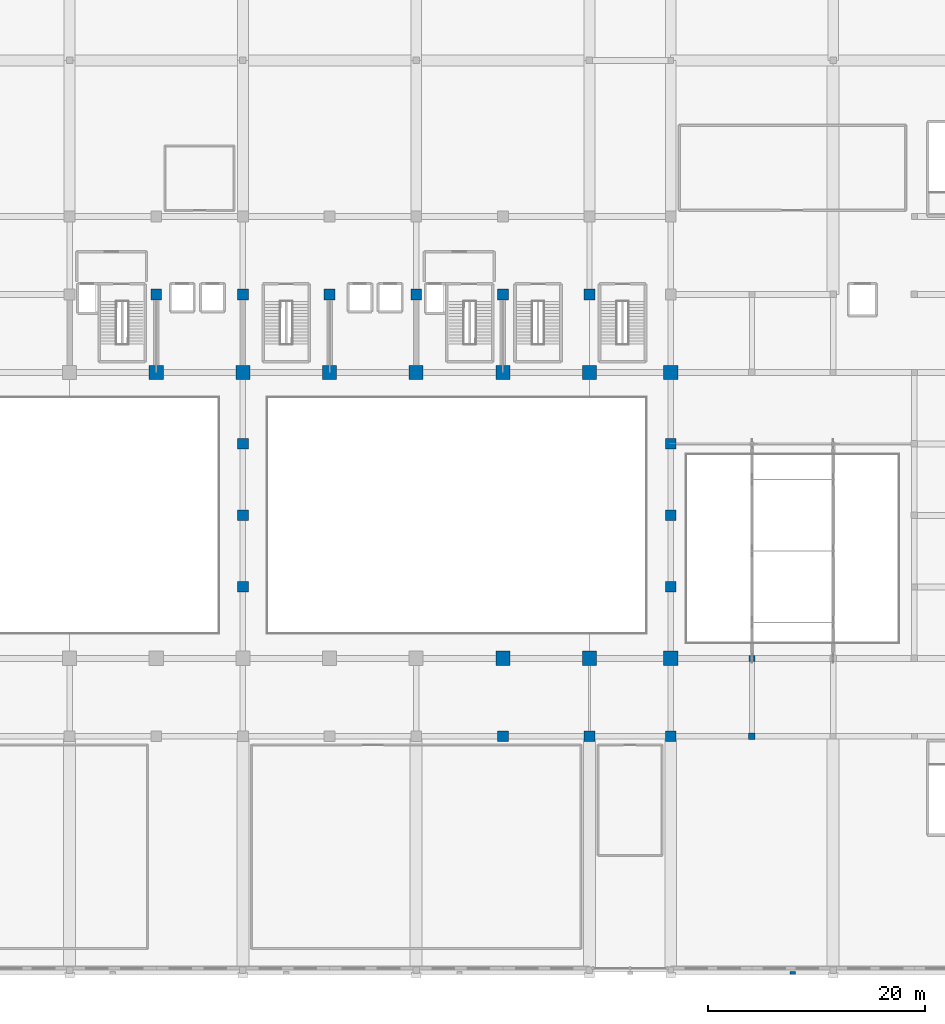
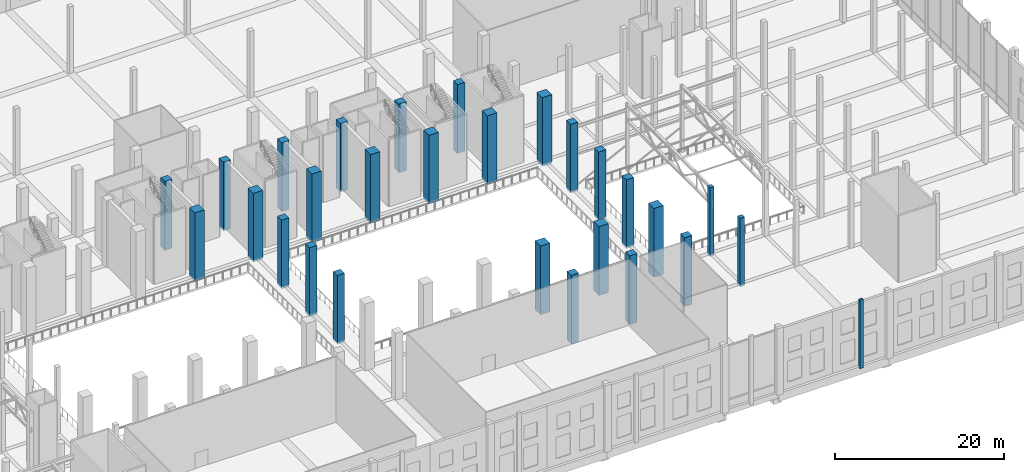
# One storey, part 2 of 80: 28 columns.
"""IFC4 building model written with IfcOpenShell, lengths in metres."""

from ifc_helpers import new_model, si_unit, direction, frame, origin, origin_2d, place, context, subcontext, project, spatial, rectangle, extrude, material, material_profile, profile_set, type_object, element, save


model = new_model("IFC4")

# Units and contexts
model_context = context("Model", 3, precision=1e-05, world=origin(), true_north=direction((0.0, 1.0)))
body_context = subcontext(model_context, "Body", "Model", "MODEL_VIEW")
ifc_project = project(units=[si_unit("LENGTHUNIT", "METRE"), si_unit("AREAUNIT", "SQUARE_METRE"), si_unit("VOLUMEUNIT", "CUBIC_METRE"), si_unit("PLANEANGLEUNIT", "RADIAN"), si_unit("MASSUNIT", "GRAM", prefix="KILO")], contexts=[model_context])

# Site, building, storey
site_placement = place(None, origin())
site = spatial("IfcSite", under=ifc_project, at=site_placement, CompositionType="ELEMENT")
building_placement = place(site_placement, origin())
building = spatial("IfcBuilding", under=site, at=building_placement, Name="Akrevak Sports Hall", CompositionType="ELEMENT")
storey_placement = place(building_placement, frame((0.0, 0.0, 14.0)))
storey = spatial("IfcBuildingStorey", under=building, at=storey_placement, Name="L03", CompositionType="ELEMENT", Elevation=14.0)

# Columns
ifc_material_1 = material(Name="Concrete C50/60", Category="concrete")
ifc_material_profile_1 = material_profile(ifc_material_1, rectangle(XDim=1.0, YDim=1.0, at=origin_2d()), Name="RC 1000x1000", Category="concrete")
ifc_profile_set_1 = profile_set([ifc_material_profile_1], Name="Concrete C50/60")
column_type_1 = type_object("IfcColumnType", Name="STR-COL-RC1000", PredefinedType="COLUMN", material=ifc_profile_set_1)
for number, where, z_axis, x_axis, name in (
    (1, (68.0, 62.39990234375, -0.280029296875), (0.0, 0.0, 1.0), (1.0, 0.0, 0.0), "Column 10/J (L03)"),
    (2, (76.0, 35.39990234375, -0.280029296875), (0.0, 0.0, 1.0), (1.0, 0.0, 0.0), "Column 11/F (L03)"),
    (3, (76.0, 42.0, -0.280029296875), (0.0, 0.0, 1.0), (1.0, 0.0, 0.0), "Column 11/G (L03)"),
    (4, (76.0, 48.60009765625, -0.280029296875), (0.0, 0.0, 1.0), (1.0, 0.0, 0.0), "Column 11/H (L03)"),
    (5, (76.0, 62.39990234375, -0.280029296875), (0.0, 0.0, 1.0), (1.0, 0.0, 0.0), "Column 11/J (L03)"),
    (6, (84.0, 62.39990234375, -0.280029296875), (0.0, 0.0, 1.0), (1.0, 0.0, 0.0), "Column 12/J (L03)"),
    (7, (92.0, 62.39990234375, -0.280029296875), (0.0, 0.0, 1.0), (1.0, 0.0, 0.0), "Column 13/J (L03)"),
    (8, (100.0, 21.60009765625, -0.280029296875), (0.0, 0.0, 1.0), (1.0, 0.0, 0.0), "Column 14/D (L03)"),
    (9, (100.0, 62.39990234375, -0.280029296875), (0.0, 0.0, 1.0), (1.0, 0.0, 0.0), "Column 14/J (L03)"),
    (10, (108.0, 21.60009765625, -0.280029296875), (0.0, 0.0, 1.0), (1.0, 0.0, 0.0), "Column 15/D (L03)"),
    (11, (108.0, 62.39990234375, -0.280029296875), (0.0, 0.0, 1.0), (1.0, 0.0, 0.0), "Column 15/J (L03)"),
    (12, (115.5, 21.60009765625, -0.280029296875), (0.0, 0.0, 1.0), (1.0, 0.0, 0.0), "Column 16/D (L03)"),
    (13, (115.5, 35.39990234375, -0.280029296875), (0.0, 0.0, 1.0), (1.0, 0.0, 0.0), "Column 16/F (L03)"),
    (14, (115.5, 42.0, -0.280029296875), (0.0, 0.0, 1.0), (1.0, 0.0, 0.0), "Column 16/G (L03)"),
    (15, (115.5, 48.60009765625, -0.280029296875), (0.0, 0.0, 1.0), (1.0, 0.0, 0.0), "Column 16/H (L03)"),
):
    element("IfcColumn", number, at=place(storey_placement, frame(where, z_axis=z_axis, x_axis=x_axis)), inside=storey, type_object=column_type_1, Name=name, PredefinedType="COLUMN", context=body_context, shape_type="SweptSolid", body=[
        extrude(rectangle(XDim=1.0, YDim=1.0, at=origin_2d()), origin(), (0.0, 0.0, 1.0), 9.929931640625),
    ])
ifc_material_profile_2 = material_profile(ifc_material_1, rectangle(XDim=1.300048828125, YDim=1.300048828125, at=origin_2d()), Name="RC 1300x1300", Category="concrete")
ifc_profile_set_2 = profile_set([ifc_material_profile_2], Name="Concrete C50/60")
column_type_2 = type_object("IfcColumnType", Name="STR-COL-RC1300", PredefinedType="COLUMN", material=ifc_profile_set_2)
for number, where, z_axis, x_axis, name in (
    (16, (68.0, 55.199951171875, -0.280029296875), (0.0, 0.0, 1.0), (1.0, 0.0, 0.0), "Column 10/I (L03)"),
    (17, (76.0, 55.199951171875, -0.280029296875), (0.0, 0.0, 1.0), (1.0, 0.0, 0.0), "Column 11/I (L03)"),
    (18, (84.0, 55.199951171875, -0.280029296875), (0.0, 0.0, 1.0), (1.0, 0.0, 0.0), "Column 12/I (L03)"),
    (19, (92.0, 55.199951171875, -0.280029296875), (0.0, 0.0, 1.0), (1.0, 0.0, 0.0), "Column 13/I (L03)"),
    (20, (100.0, 28.800048828125, -0.280029296875), (0.0, 0.0, 1.0), (1.0, 0.0, 0.0), "Column 14/E (L03)"),
    (21, (100.0, 55.199951171875, -0.280029296875), (0.0, 0.0, 1.0), (1.0, 0.0, 0.0), "Column 14/I (L03)"),
    (22, (108.0, 28.800048828125, -0.280029296875), (0.0, 0.0, 1.0), (1.0, 0.0, 0.0), "Column 15/E (L03)"),
    (23, (108.0, 55.199951171875, -0.280029296875), (0.0, 0.0, 1.0), (1.0, 0.0, 0.0), "Column 15/I (L03)"),
    (24, (115.5, 28.800048828125, -0.280029296875), (0.0, 0.0, 1.0), (1.0, 0.0, 0.0), "Column 16/E (L03)"),
    (25, (115.5, 55.199951171875, -0.280029296875), (0.0, 0.0, 1.0), (1.0, 0.0, 0.0), "Column 16/I (L03)"),
):
    element("IfcColumn", number, at=place(storey_placement, frame(where, z_axis=z_axis, x_axis=x_axis)), inside=storey, type_object=column_type_2, Name=name, PredefinedType="COLUMN", context=body_context, shape_type="SweptSolid", body=[
        extrude(rectangle(XDim=1.300048828125, YDim=1.300048828125, at=origin_2d()), origin(), (0.0, 0.0, 1.0), 9.929931640625),
    ])
ifc_material_2 = material(Name="Concrete C40/50", Category="concrete")
ifc_material_profile_3 = material_profile(ifc_material_2, rectangle(XDim=0.550048828125, YDim=0.550048828125, at=origin_2d()), Name="RC 550x550", Category="concrete")
ifc_profile_set_3 = profile_set([ifc_material_profile_3], Name="Concrete C40/50")
column_type_3 = type_object("IfcColumnType", Name="STR-COL-RC550", PredefinedType="COLUMN", material=ifc_profile_set_3)
column_1_placement = place(storey_placement, frame((123.0, 28.800048828125, -0.280029296875), z_axis=(0.0, 0.0, 1.0), x_axis=(1.0, 0.0, 0.0)))
element("IfcColumn", 26, at=column_1_placement, inside=storey, type_object=column_type_3, Name="Column 17/E (L03)", PredefinedType="COLUMN", context=body_context, shape_type="SweptSolid", body=[
    extrude(rectangle(XDim=0.550048828125, YDim=0.550048828125, at=origin_2d()), origin(), (0.0, 0.0, 1.0), 9.929931640625),
])
ifc_material_profile_4 = material_profile(ifc_material_2, rectangle(XDim=0.60009765625, YDim=0.60009765625, at=origin_2d()), Name="RC 600x600", Category="concrete")
ifc_profile_set_4 = profile_set([ifc_material_profile_4], Name="Concrete C40/50")
column_type_4 = type_object("IfcColumnType", Name="STR-COL-RC600", PredefinedType="COLUMN", material=ifc_profile_set_4)
column_2_placement = place(storey_placement, frame((123.0, 21.60009765625, -0.280029296875), z_axis=(0.0, 0.0, 1.0), x_axis=(1.0, 0.0, 0.0)))
element("IfcColumn", 27, at=column_2_placement, inside=storey, type_object=column_type_4, Name="Column 17/D (L03)", PredefinedType="COLUMN", context=body_context, shape_type="SweptSolid", body=[
    extrude(rectangle(XDim=0.60009765625, YDim=0.60009765625, at=origin_2d()), origin(), (0.0, 0.0, 1.0), 9.929931640625),
])
ifc_material_profile_5 = material_profile(ifc_material_2, rectangle(XDim=0.5, YDim=0.300048828125, at=origin_2d()), Name="PIL 500x300", Category="concrete")
ifc_profile_set_5 = profile_set([ifc_material_profile_5], Name="Concrete C40/50")
column_type_5 = type_object("IfcColumnType", Name="STR-PIL-500x300", PredefinedType="PILASTER", material=ifc_profile_set_5)
column_3_placement = place(storey_placement, frame((126.75, -0.260009765625, -0.280029296875), z_axis=(0.0, 0.0, 1.0), x_axis=(1.0, 0.0, 0.0)))
element("IfcColumn", 28, at=column_3_placement, inside=storey, type_object=column_type_5, Name="Beaux-Arts Pilaster S08 (L03)", PredefinedType="PILASTER", context=body_context, shape_type="SweptSolid", body=[
    extrude(rectangle(XDim=0.5, YDim=0.300048828125, at=origin_2d()), origin(), (0.0, 0.0, 1.0), 9.929931640625),
])

save(model, "model.ifc")
